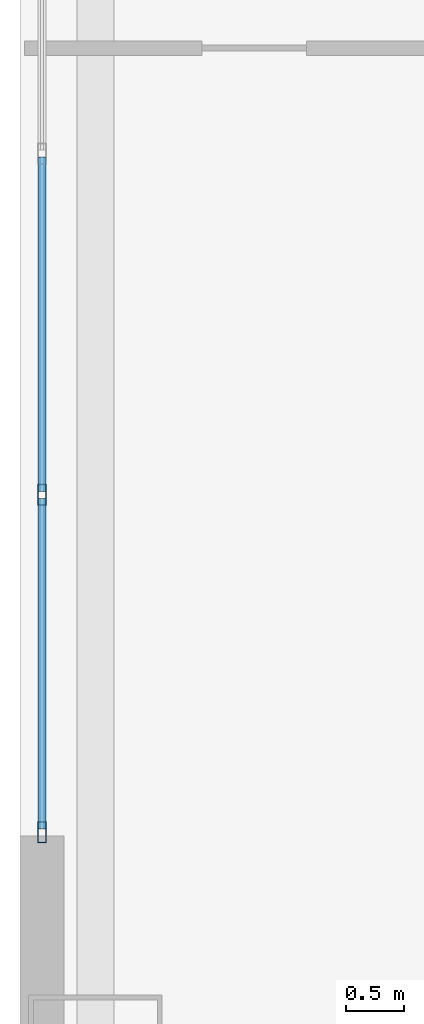
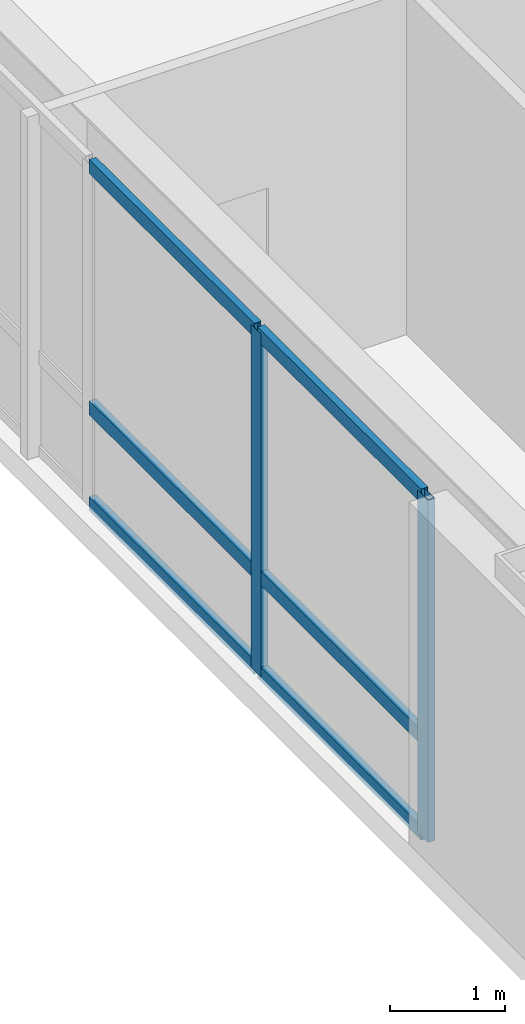
# One storey, part 5 of 28: 8 members, 1 element without a shape of its own.
"""IFC4 building model written with IfcOpenShell, lengths in metres."""

from ifc_helpers import new_model, si_unit, direction, frame, origin, origin_2d, place, context, subcontext, project, spatial, hollow_rectangle, extrude, material, layer, layer_set, material_profile, profile_set, type_object, element, aggregate, save


model = new_model("IFC4")

# Units and contexts
model_context = context("Model", 3, precision=1e-05, world=origin(), true_north=direction((0.0, 1.0)))
body_context = subcontext(model_context, "Body", "Model", "MODEL_VIEW")
ifc_project = project(units=[si_unit("LENGTHUNIT", "METRE"), si_unit("AREAUNIT", "SQUARE_METRE"), si_unit("VOLUMEUNIT", "CUBIC_METRE"), si_unit("PLANEANGLEUNIT", "RADIAN"), si_unit("MASSUNIT", "GRAM", prefix="KILO")], contexts=[model_context])

# Site, building, storey
site_placement = place(None, origin())
site = spatial("IfcSite", under=ifc_project, at=site_placement, CompositionType="ELEMENT")
building_placement = place(site_placement, origin())
building = spatial("IfcBuilding", under=site, at=building_placement, Name="Voryun Gate Residences", CompositionType="ELEMENT")
storey_placement = place(building_placement, frame((0.0, 0.0, 61.10009765625)))
storey = spatial("IfcBuildingStorey", under=building, at=storey_placement, Name="L14", CompositionType="ELEMENT", Elevation=61.10009765625)

# Curtain wall, members
ifc_material_1 = material(Name="Anodised aluminium", Category="aluminium")
ifc_layer = layer(ifc_material_1, 0.179931640625, Name="CW_SYS_RES_A_DARK_GLASS")
ifc_layer_set = layer_set([ifc_layer], Name="Anodised aluminium")
curtain_wall_type = type_object("IfcCurtainWallType", Name="CW_SYS_RES_A_DARK_GLASS", PredefinedType="NOTDEFINED", material=ifc_layer_set)
curtain_wall_placement = place(storey_placement, origin())
curtain_wall = element("IfcCurtainWall", 1, at=curtain_wall_placement, inside=storey, type_object=curtain_wall_type, Name="Curtain wall CWT-L14-06", PredefinedType="NOTDEFINED")
ifc_material_2 = material(Name="Anodised aluminium", Category="aluminium")
ifc_material_profile_1 = material_profile(ifc_material_2, hollow_rectangle(XDim=0.070068359375, YDim=0.179931640625, WallThickness=0.00390625, at=origin_2d()), Name="ALU-MULL-180x70x4")
ifc_profile_set_1 = profile_set([ifc_material_profile_1], Name="Anodised aluminium")
member_type_1 = type_object("IfcMemberType", Name="CW_MULL_RES", PredefinedType="MULLION", material=ifc_profile_set_1)
member_1_placement = place(storey_placement, frame((-33.409912109375, -5.85205078125, 0.0), z_axis=(0.0, 0.0, 1.0), x_axis=(-1.0, 0.0, 0.0)))
member_1 = element("IfcMember", 2, at=member_1_placement, type_object=member_type_1, Name="CW3 mullion 1", PredefinedType="MULLION", context=body_context, shape_type="SweptSolid", body=[
    extrude(hollow_rectangle(XDim=0.070068359375, YDim=0.179931640625, WallThickness=0.00390625, at=origin_2d()), origin(), (0.0, 0.0, 1.0), 3.64990234375),
])
member_2_placement = place(storey_placement, frame((-33.409912109375, -2.94091796875, 0.0), z_axis=(0.0, 0.0, 1.0), x_axis=(-1.0, 0.0, 0.0)))
member_2 = element("IfcMember", 3, at=member_2_placement, type_object=member_type_1, Name="CW3 mullion 2", PredefinedType="MULLION", context=body_context, shape_type="SweptSolid", body=[
    extrude(hollow_rectangle(XDim=0.070068359375, YDim=0.179931640625, WallThickness=0.00390625, at=origin_2d()), origin(), (0.0, 0.0, 1.0), 3.64990234375),
])
ifc_material_3 = material(Name="Anodised aluminium", Category="aluminium")
ifc_material_profile_2 = material_profile(ifc_material_3, hollow_rectangle(XDim=0.070068359375, YDim=0.14990234375, WallThickness=0.00390625, at=origin_2d()), Name="ALU-TRAN-150x70x4")
ifc_profile_set_2 = profile_set([ifc_material_profile_2], Name="Anodised aluminium")
member_type_2 = type_object("IfcMemberType", Name="CW_TRAN_RES", PredefinedType="USERDEFINED", material=ifc_profile_set_2)
member_3_placement = place(storey_placement, frame((-33.409912109375, -5.822021484375, 0.02978515625), z_axis=(0.0, 1.0, 0.0), x_axis=(-1.0, 0.0, 0.0)))
member_3 = element("IfcMember", 4, at=member_3_placement, type_object=member_type_2, Name="CW3 transom 1.1", ObjectType="TRANSOM", PredefinedType="USERDEFINED", context=body_context, shape_type="SweptSolid", body=[
    extrude(hollow_rectangle(XDim=0.070068359375, YDim=0.14990234375, WallThickness=0.00390625, at=origin_2d()), origin(), (0.0, 0.0, 1.0), 2.85107421875),
])
member_4_placement = place(storey_placement, frame((-33.409912109375, -5.822021484375, 1.0498046875), z_axis=(0.0, 1.0, 0.0), x_axis=(-1.0, 0.0, 0.0)))
member_4 = element("IfcMember", 5, at=member_4_placement, type_object=member_type_2, Name="CW3 transom 1.2", ObjectType="TRANSOM", PredefinedType="USERDEFINED", context=body_context, shape_type="SweptSolid", body=[
    extrude(hollow_rectangle(XDim=0.070068359375, YDim=0.14990234375, WallThickness=0.00390625, at=origin_2d()), origin(), (0.0, 0.0, 1.0), 2.85107421875),
])
member_5_placement = place(storey_placement, frame((-33.409912109375, -5.822021484375, 3.619873046875), z_axis=(0.0, 1.0, 0.0), x_axis=(-1.0, 0.0, 0.0)))
member_5 = element("IfcMember", 6, at=member_5_placement, type_object=member_type_2, Name="CW3 transom 1.3", ObjectType="TRANSOM", PredefinedType="USERDEFINED", context=body_context, shape_type="SweptSolid", body=[
    extrude(hollow_rectangle(XDim=0.070068359375, YDim=0.14990234375, WallThickness=0.00390625, at=origin_2d()), origin(), (0.0, 0.0, 1.0), 2.85107421875),
])
member_6_placement = place(storey_placement, frame((-33.409912109375, -2.910888671875, 0.02978515625), z_axis=(0.0, 1.0, 0.0), x_axis=(-1.0, 0.0, 0.0)))
member_6 = element("IfcMember", 7, at=member_6_placement, type_object=member_type_2, Name="CW3 transom 2.1", ObjectType="TRANSOM", PredefinedType="USERDEFINED", context=body_context, shape_type="SweptSolid", body=[
    extrude(hollow_rectangle(XDim=0.070068359375, YDim=0.14990234375, WallThickness=0.00390625, at=origin_2d()), origin(), (0.0, 0.0, 1.0), 2.880859375),
])
member_7_placement = place(storey_placement, frame((-33.409912109375, -2.910888671875, 1.0498046875), z_axis=(0.0, 1.0, 0.0), x_axis=(-1.0, 0.0, 0.0)))
member_7 = element("IfcMember", 8, at=member_7_placement, type_object=member_type_2, Name="CW3 transom 2.2", ObjectType="TRANSOM", PredefinedType="USERDEFINED", context=body_context, shape_type="SweptSolid", body=[
    extrude(hollow_rectangle(XDim=0.070068359375, YDim=0.14990234375, WallThickness=0.00390625, at=origin_2d()), origin(), (0.0, 0.0, 1.0), 2.880859375),
])
member_8_placement = place(storey_placement, frame((-33.409912109375, -2.910888671875, 3.619873046875), z_axis=(0.0, 1.0, 0.0), x_axis=(-1.0, 0.0, 0.0)))
member_8 = element("IfcMember", 9, at=member_8_placement, type_object=member_type_2, Name="CW3 transom 2.3", ObjectType="TRANSOM", PredefinedType="USERDEFINED", context=body_context, shape_type="SweptSolid", body=[
    extrude(hollow_rectangle(XDim=0.070068359375, YDim=0.14990234375, WallThickness=0.00390625, at=origin_2d()), origin(), (0.0, 0.0, 1.0), 2.880859375),
])
aggregate(curtain_wall, [member_1, member_2, member_3, member_4, member_5, member_6, member_7, member_8])

save(model, "model.ifc")
